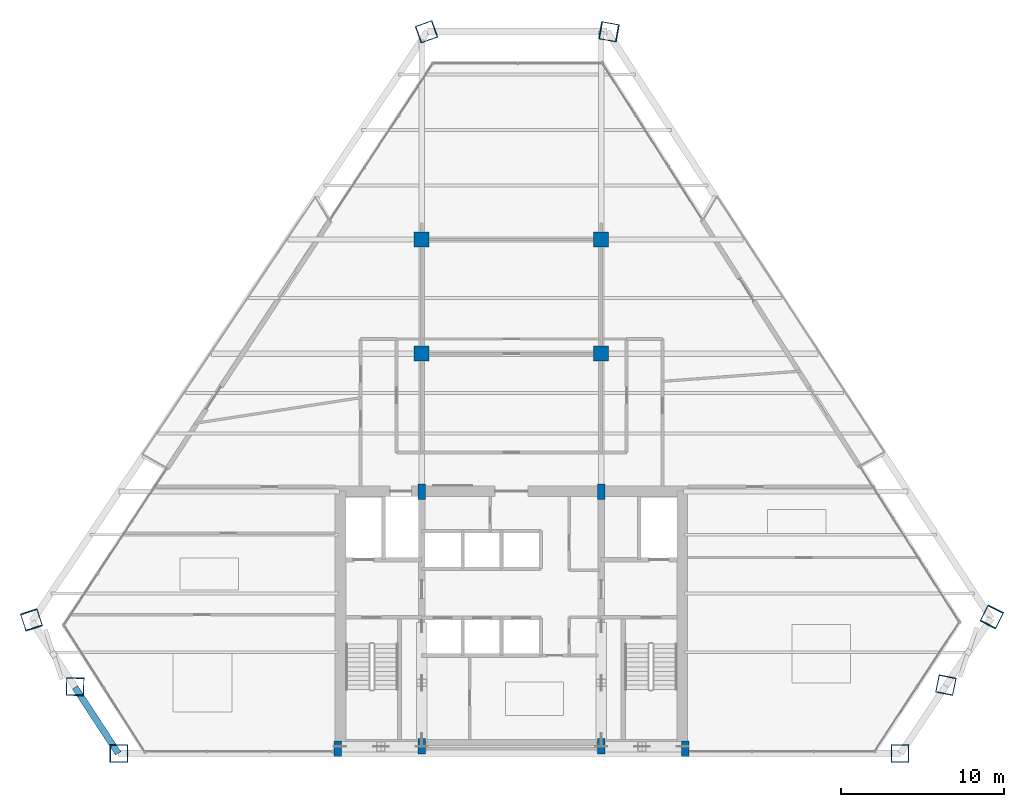
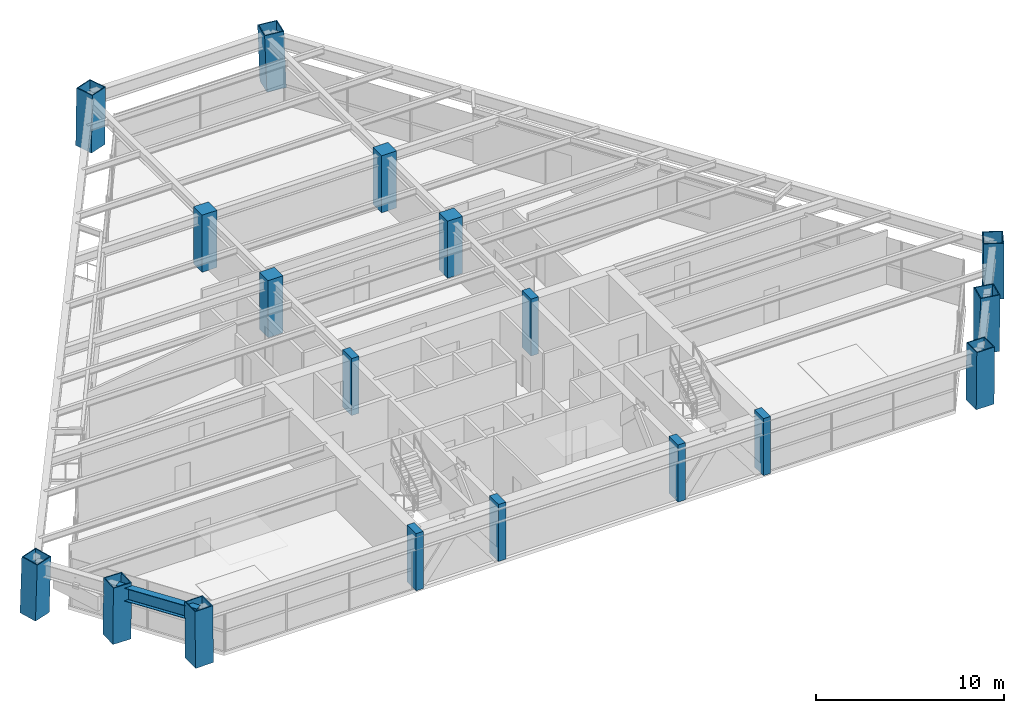
# One storey, part 1 of 14: 18 columns, 1 beam.
"""IFC4 building model written with IfcOpenShell, lengths in metres."""

from ifc_helpers import new_model, si_unit, direction, frame, origin, origin_2d, place, context, subcontext, project, spatial, rectangle, hollow_rectangle, i_section, extrude, source, transform, mapped, material, material_profile, profile_set, type_object, element, save


model = new_model("IFC4")

# Units and contexts
model_context = context("Model", 3, precision=1e-05, world=origin(), true_north=direction((0.0, 1.0)))
body_context = subcontext(model_context, "Body", "Model", "MODEL_VIEW")
ifc_project = project(units=[si_unit("LENGTHUNIT", "METRE"), si_unit("AREAUNIT", "SQUARE_METRE"), si_unit("VOLUMEUNIT", "CUBIC_METRE"), si_unit("PLANEANGLEUNIT", "RADIAN"), si_unit("MASSUNIT", "GRAM", prefix="KILO")], contexts=[model_context])

# Site, building, storey
site_placement = place(None, origin())
site = spatial("IfcSite", under=ifc_project, at=site_placement, CompositionType="ELEMENT")
building_placement = place(site_placement, origin())
building = spatial("IfcBuilding", under=site, at=building_placement, Name="Varnakhor Terracotta Tower", CompositionType="ELEMENT")
storey_placement = place(building_placement, frame((0.0, 0.0, 129.300048828125)))
storey = spatial("IfcBuildingStorey", under=building, at=storey_placement, Name="L32", CompositionType="ELEMENT", Elevation=129.300048828125)

# Columns
ifc_material_1 = material(Name="Concrete C50/60", Category="concrete")
ifc_material_profile_1 = material_profile(ifc_material_1, rectangle(XDim=0.449951171875, YDim=0.949951171875, at=origin_2d()), Name="RC PILASTER 950x450")
ifc_profile_set_1 = profile_set([ifc_material_profile_1], Name="Concrete C50/60")
column_type_1 = type_object("IfcColumnType", Name="COL-PIL-950x450", PredefinedType="PILASTER", material=ifc_profile_set_1)
shared_shape_1 = source(origin(), body_context, "Body", "SweptSolid", [
    extrude(rectangle(XDim=0.449951171875, YDim=0.949951171875, at=origin_2d()), origin(), (0.0, 0.0, 1.0), 3.699951171875),
])
for number, where, z_axis, x_axis, name in (
    (1, (-10.64990234375, 0.300048828125, 0.0), (0.0, 0.0, 1.0), (1.0, 0.0, 0.0), "L32 Core Pilaster CP1"),
    (2, (-5.5, 0.449951171875, 0.0), (0.0, 0.0, 1.0), (1.0, 0.0, 0.0), "L32 Core Pilaster CP2"),
    (3, (5.5, 0.449951171875, 0.0), (0.0, 0.0, 1.0), (1.0, 0.0, 0.0), "L32 Core Pilaster CP3"),
    (4, (10.64990234375, 0.300048828125, 0.0), (0.0, 0.0, 1.0), (1.0, 0.0, 0.0), "L32 Core Pilaster CP4"),
    (5, (-5.5, 16.050048828125, 0.0), (0.0, 0.0, 1.0), (1.0, 0.0, 0.0), "L32 Core Pilaster CP5"),
    (6, (5.5, 16.050048828125, 0.0), (0.0, 0.0, 1.0), (1.0, 0.0, 0.0), "L32 Core Pilaster CP6"),
):
    element("IfcColumn", number, at=place(storey_placement, frame(where, z_axis=z_axis, x_axis=x_axis)), inside=storey, type_object=column_type_1, Name=name, PredefinedType="PILASTER", context=body_context, shape_type="MappedRepresentation", body=[
        mapped(shared_shape_1, transform((0.0, 0.0, 0.0), scale=1.0)),
    ])
ifc_material_2 = material(Name="Steel S460", Category="steel")
ifc_material_profile_2 = material_profile(ifc_material_2, hollow_rectangle(XDim=1.10009765625, YDim=1.10009765625, WallThickness=0.054931640625, at=origin_2d()), Name="BOX 1100x1100x55")
ifc_profile_set_2 = profile_set([ifc_material_profile_2], Name="Steel S460")
column_type_2 = type_object("IfcColumnType", Name="COL-MEGA-1100", PredefinedType="COLUMN", material=ifc_profile_set_2)
shared_shape_2 = source(origin(), body_context, "Body", "SweptSolid", [
    extrude(hollow_rectangle(XDim=1.10009765625, YDim=1.10009765625, WallThickness=0.054931640625, at=origin_2d()), origin(), (0.0, 0.0, 1.0), 3.69140625),
])
for number, where, z_axis, x_axis, name in (
    (7, (-24.054931640625, 0.0, 0.00439453125), (-0.011706321299, 0.0, 0.999931478673), (0.0, -1.0, 0.0), "L32 Perimeter Mega-Column M1"),
    (8, (23.810302734375, 0.0, 0.00439453125), (0.009590140351, 0.0, 0.999954013547), (0.0, 1.0, 0.0), "L32 Perimeter Mega-Column M2"),
):
    element("IfcColumn", number, at=place(storey_placement, frame(where, z_axis=z_axis, x_axis=x_axis)), inside=storey, type_object=column_type_2, Name=name, PredefinedType="COLUMN", context=body_context, shape_type="MappedRepresentation", body=[
        mapped(shared_shape_2, transform((0.0, 0.0, 0.0), scale=1.0)),
    ])
shared_shape_3 = source(origin(), body_context, "Body", "SweptSolid", [
    extrude(hollow_rectangle(XDim=1.10009765625, YDim=1.10009765625, WallThickness=0.054931640625, at=origin_2d()), origin(), (0.0, 0.0, 1.0), 3.691650390625),
])
for number, where, z_axis, x_axis, name in (
    (9, (26.62890625, 4.193603515625, 0.00439453125), (-0.003108283928, -0.015475285939, 0.999875419288), (0.980419197518, -0.19692180463, 0.0), "L32 Perimeter Mega-Column M3"),
    (10, (-26.739013671875, 4.101318359375, 0.00439453125), (-0.000396798663, -0.016334878303, 0.999866498239), (0.99970509207, -0.02428433422, 0.0), "L32 Perimeter Mega-Column M8"),
):
    element("IfcColumn", number, at=place(storey_placement, frame(where, z_axis=z_axis, x_axis=x_axis)), inside=storey, type_object=column_type_2, Name=name, PredefinedType="COLUMN", context=body_context, shape_type="MappedRepresentation", body=[
        mapped(shared_shape_3, transform((0.0, 0.0, 0.0), scale=1.0)),
    ])
shared_shape_4 = source(origin(), body_context, "Body", "SweptSolid", [
    extrude(hollow_rectangle(XDim=1.10009765625, YDim=1.10009765625, WallThickness=0.054931640625, at=origin_2d()), origin(), (0.0, 0.0, 1.0), 3.693359375),
])
for number, where, z_axis, x_axis, name in (
    (11, (29.447265625, 8.386962890625, 0.00439453125), (-0.015666212465, -0.030935811956, 0.999398591817), (0.892127982622, -0.451782760431, 0.0), "L32 Perimeter Mega-Column M4"),
    (12, (-29.4228515625, 8.20263671875, 0.00439453125), (0.010774760458, -0.032654795497, 0.999408609563), (0.949640089988, 0.313342782729, 0.0), "L32 Perimeter Mega-Column M7"),
):
    element("IfcColumn", number, at=place(storey_placement, frame(where, z_axis=z_axis, x_axis=x_axis)), inside=storey, type_object=column_type_2, Name=name, PredefinedType="COLUMN", context=body_context, shape_type="MappedRepresentation", body=[
        mapped(shared_shape_4, transform((0.0, 0.0, 0.0), scale=1.0)),
    ])
shared_shape_5 = source(origin(), body_context, "Body", "SweptSolid", [
    extrude(hollow_rectangle(XDim=1.10009765625, YDim=1.10009765625, WallThickness=0.054931640625, at=origin_2d()), origin(), (0.0, 0.0, 1.0), 3.69189453125),
])
column_1_placement = place(storey_placement, frame((-5.21484375, 44.220947265625, 0.00439453125), z_axis=(0.017458473575, 0.006216274682, 0.999828265068), x_axis=(-0.335432025472, 0.942064411963, 0.0)))
element("IfcColumn", 13, at=column_1_placement, inside=storey, type_object=column_type_2, Name="L32 Perimeter Mega-Column M6", PredefinedType="COLUMN", context=body_context, shape_type="MappedRepresentation", body=[
    mapped(shared_shape_5, transform((0.0, 0.0, 0.0), scale=1.0)),
])
ifc_material_profile_3 = material_profile(ifc_material_1, rectangle(XDim=0.919921875, YDim=0.919921875, at=origin_2d()), Name="RC 920x920")
ifc_profile_set_3 = profile_set([ifc_material_profile_3], Name="Concrete C50/60")
column_type_3 = type_object("IfcColumnType", Name="COL-RC-920", PredefinedType="COLUMN", material=ifc_profile_set_3)
shared_shape_6 = source(origin(), body_context, "Body", "SweptSolid", [
    extrude(rectangle(XDim=0.919921875, YDim=0.919921875, at=origin_2d()), origin(), (0.0, 0.0, 1.0), 3.699951171875),
])
for number, where, z_axis, x_axis, name in (
    (14, (-5.5, 24.5, 0.0), (0.0, 0.0, 1.0), (1.0, 0.0, 0.0), "L32 Interior Tower Column IC1"),
    (15, (5.5, 24.5, 0.0), (0.0, 0.0, 1.0), (1.0, 0.0, 0.0), "L32 Interior Tower Column IC2"),
    (16, (-5.5, 31.5, 0.0), (0.0, 0.0, 1.0), (1.0, 0.0, 0.0), "L32 Interior Tower Column IC3"),
    (17, (5.5, 31.5, 0.0), (0.0, 0.0, 1.0), (1.0, 0.0, 0.0), "L32 Interior Tower Column IC4"),
):
    element("IfcColumn", number, at=place(storey_placement, frame(where, z_axis=z_axis, x_axis=x_axis)), inside=storey, type_object=column_type_3, Name=name, PredefinedType="COLUMN", context=body_context, shape_type="MappedRepresentation", body=[
        mapped(shared_shape_6, transform((0.0, 0.0, 0.0), scale=1.0)),
    ])
shared_shape_7 = source(origin(), body_context, "Body", "SweptSolid", [
    extrude(hollow_rectangle(XDim=1.10009765625, YDim=1.10009765625, WallThickness=0.054931640625, at=origin_2d()), origin(), (0.0, 0.0, 1.0), 3.693603515625),
])
column_2_placement = place(storey_placement, frame((5.99755859375, 44.220947265625, 0.00439453125), z_axis=(-0.035231087682, 0.006213362556, 0.999359877415), x_axis=(-0.173679929558, -0.984802153769, 0.0)))
element("IfcColumn", 18, at=column_2_placement, inside=storey, type_object=column_type_2, Name="L32 Perimeter Mega-Column M5", PredefinedType="COLUMN", context=body_context, shape_type="MappedRepresentation", body=[
    mapped(shared_shape_7, transform((0.0, 0.0, 0.0), scale=1.0)),
])

# Beam
ifc_material_3 = material(Name="Steel S355", Category="steel")
ifc_material_profile_4 = material_profile(ifc_material_3, i_section(OverallWidth=0.39990234375, OverallDepth=0.85498046875, WebThickness=0.01806640625, FlangeThickness=0.029052734375, FilletRadius=0.01806640625, at=origin_2d()), Name="W33X201")
ifc_profile_set_4 = profile_set([ifc_material_profile_4], Name="Steel S355")
beam_type = type_object("IfcBeamType", Name="BM-W33X201", PredefinedType="BEAM", material=ifc_profile_set_4)
shared_shape_8 = source(origin(), body_context, "Body", "SweptSolid", [
    extrude(i_section(OverallWidth=0.39990234375, OverallDepth=0.85498046875, WebThickness=0.01806640625, FlangeThickness=0.029052734375, FilletRadius=0.01806640625, at=origin_2d()), origin(), (0.0, 0.0, 1.0), 4.828125),
])
beam_placement = place(storey_placement, frame((-26.740478515625, 4.041015625, 3.04248046875), z_axis=(0.547268436183, -0.836957142724, 0.0), x_axis=(0.836957142724, 0.547268436183, 0.0)))
element("IfcBeam", 19, at=beam_placement, inside=storey, type_object=beam_type, Name="L32 Perimeter Spandrel 8", PredefinedType="BEAM", context=body_context, shape_type="MappedRepresentation", body=[
    mapped(shared_shape_8, transform((0.0, 0.0, 0.0), scale=1.0)),
])

save(model, "model.ifc")
